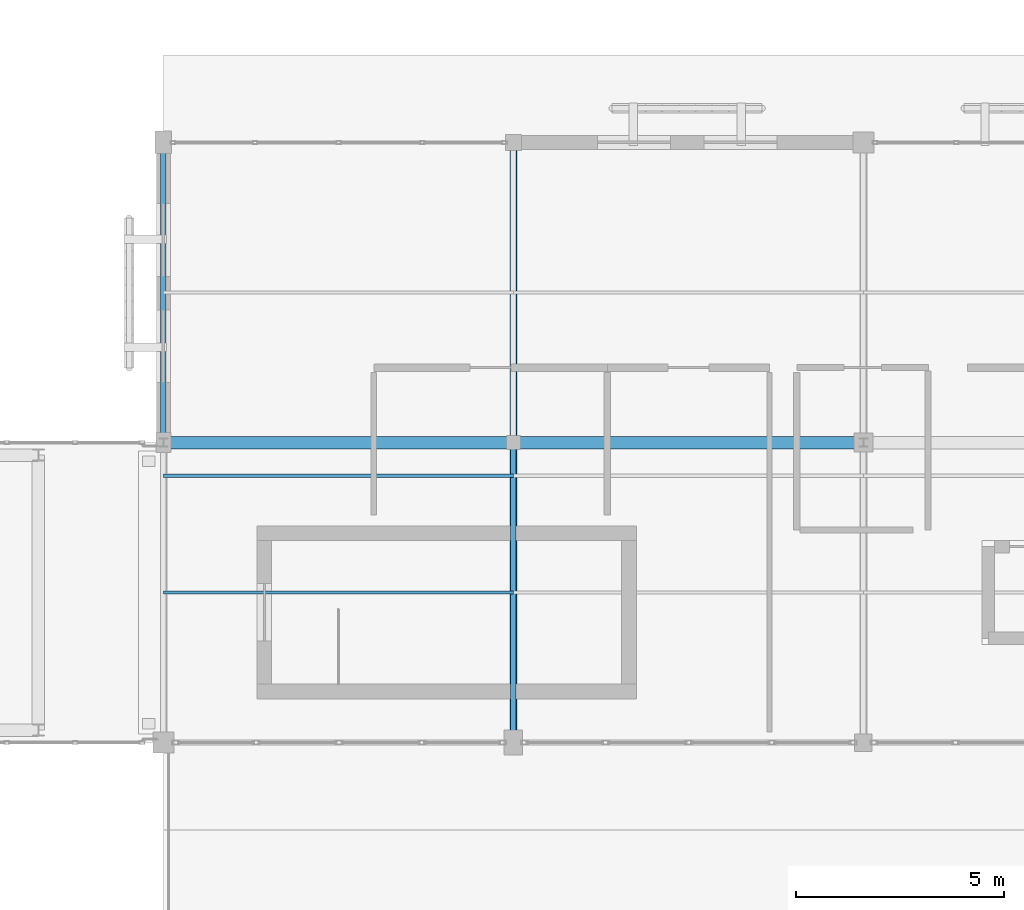
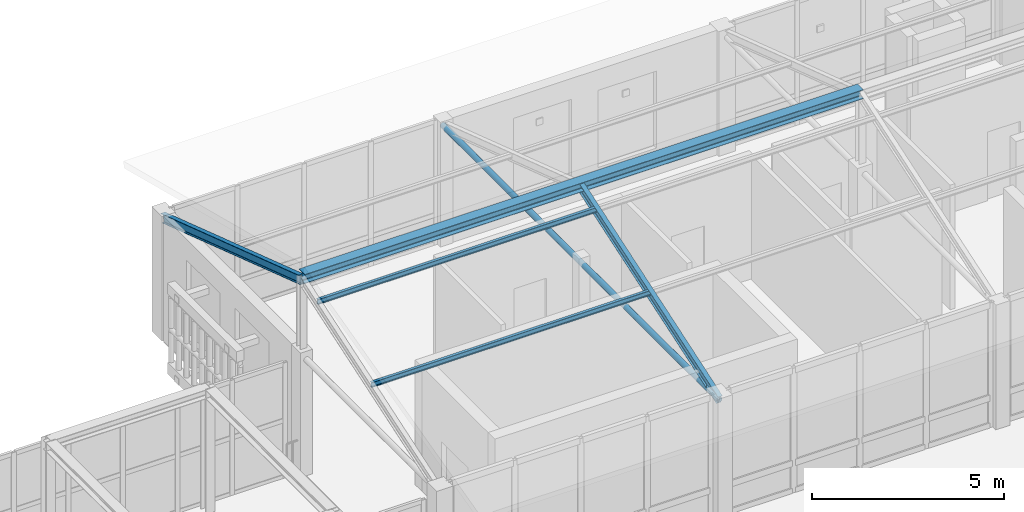
# One storey, part 23 of 112: 5 members, 1 beam.
"""IFC4 building model written with IfcOpenShell, lengths in metres."""

from ifc_helpers import new_model, si_unit, direction, frame, origin, origin_2d, place, context, subcontext, project, spatial, hollow_circle, i_section, extrude, material, material_profile, profile_set, type_object, element, save


model = new_model("IFC4")

# Units and contexts
model_context = context("Model", 3, precision=1e-05, world=origin(), true_north=direction((0.0, 1.0)))
body_context = subcontext(model_context, "Body", "Model", "MODEL_VIEW")
ifc_project = project(units=[si_unit("LENGTHUNIT", "METRE"), si_unit("AREAUNIT", "SQUARE_METRE"), si_unit("VOLUMEUNIT", "CUBIC_METRE"), si_unit("PLANEANGLEUNIT", "RADIAN"), si_unit("MASSUNIT", "GRAM", prefix="KILO")], contexts=[model_context])

# Site, building, storey
site_placement = place(None, origin())
site = spatial("IfcSite", under=ifc_project, at=site_placement, CompositionType="ELEMENT")
building_placement = place(site_placement, origin())
building = spatial("IfcBuilding", under=site, at=building_placement, Name="Mazaris Harbour Polytechnic", CompositionType="ELEMENT")
storey_placement = place(building_placement, frame((0.0, 0.0, 13.800048828125)))
storey = spatial("IfcBuildingStorey", under=building, at=storey_placement, Name="L03", CompositionType="ELEMENT", Elevation=13.800048828125)

# Beam
ifc_material_1 = material(Name="Steel S355", Category="steel")
ifc_material_profile_1 = material_profile(ifc_material_1, i_section(OverallWidth=0.300048828125, OverallDepth=0.2900390625, WebThickness=0.008544921875, FlangeThickness=0.013916015625, FilletRadius=0.027099609375, at=origin_2d()), Name="HEA 300")
ifc_profile_set_1 = profile_set([ifc_material_profile_1], Name="Steel S355")
beam_type = type_object("IfcBeamType", Name="Steel Beam HEA300", PredefinedType="SPANDREL", material=ifc_profile_set_1)
beam_placement = place(storey_placement, frame((54.0, 28.800048828125, 6.195068359375), z_axis=(1.0, 0.0, 0.0), x_axis=(0.0, 1.0, 0.0)))
element("IfcBeam", 1, at=beam_placement, inside=storey, type_object=beam_type, Name="V3 Pavilion Ridge Girder 54.0", PredefinedType="SPANDREL", context=body_context, shape_type="SweptSolid", body=[
    extrude(i_section(OverallWidth=0.300048828125, OverallDepth=0.2900390625, WebThickness=0.008544921875, FlangeThickness=0.013916015625, FilletRadius=0.027099609375, at=origin_2d()), origin(), (0.0, 0.0, 1.0), 16.800048828125),
])

# Members
ifc_material_2 = material(Name="Steel S355", Category="steel")
ifc_material_profile_2 = material_profile(ifc_material_2, i_section(OverallWidth=0.08203125, OverallDepth=0.159912109375, WebThickness=0.0048828125, FlangeThickness=0.00732421875, FilletRadius=0.009033203125, at=origin_2d()), Name="IPE 160")
ifc_profile_set_2 = profile_set([ifc_material_profile_2], Name="Steel S355")
member_type_1 = type_object("IfcMemberType", Name="Steel Purlin IPE160", PredefinedType="PURLIN", material=ifc_profile_set_2)
for number, where, z_axis, x_axis, name in (
    (2, (54.0, 25.199951171875, 4.93994140625), (1.0, 0.0, 0.0), (0.0, 1.0, 0.0), "V3 Roof Purlin 178"),
    (3, (54.0, 28.0, 5.8798828125), (1.0, 0.0, 0.0), (0.0, 1.0, 0.0), "V3 Roof Purlin 179"),
):
    element("IfcMember", number, at=place(storey_placement, frame(where, z_axis=z_axis, x_axis=x_axis)), inside=storey, type_object=member_type_1, Name=name, PredefinedType="PURLIN", context=body_context, shape_type="SweptSolid", body=[
        extrude(i_section(OverallWidth=0.08203125, OverallDepth=0.159912109375, WebThickness=0.0048828125, FlangeThickness=0.00732421875, FilletRadius=0.009033203125, at=origin_2d()), origin(), (0.0, 0.0, 1.0), 8.39990234375),
    ])
ifc_material_3 = material(Name="Steel S355", Category="steel")
ifc_material_profile_3 = material_profile(ifc_material_3, i_section(OverallWidth=0.135009765625, OverallDepth=0.27001953125, WebThickness=0.006591796875, FlangeThickness=0.01025390625, FilletRadius=0.014892578125, at=origin_2d()), Name="IPE 270")
ifc_profile_set_3 = profile_set([ifc_material_profile_3], Name="Steel S355")
member_type_2 = type_object("IfcMemberType", Name="Steel Rafter IPE270", PredefinedType="RAFTER", material=ifc_profile_set_3)
for number, where, z_axis, x_axis, name in (
    (4, (54.0, 28.800048828125, 6.099853515625), (0.0, 0.948686514869, -0.316218115397), (-1.0, 0.0, 0.0), "V3 Pavilion North Rafter 8"),
    (5, (62.39990234375, 21.60009765625, 3.699951171875), (0.0, 0.948686514869, 0.316218115397), (-1.0, 0.0, 0.0), "V3 Pavilion South Rafter 9"),
):
    element("IfcMember", number, at=place(storey_placement, frame(where, z_axis=z_axis, x_axis=x_axis)), inside=storey, type_object=member_type_2, Name=name, PredefinedType="RAFTER", context=body_context, shape_type="SweptSolid", body=[
        extrude(i_section(OverallWidth=0.135009765625, OverallDepth=0.27001953125, WebThickness=0.006591796875, FlangeThickness=0.01025390625, FilletRadius=0.014892578125, at=origin_2d()), origin(), (0.0, 0.0, 1.0), 7.58935546875),
    ])
ifc_material_4 = material(Name="Steel S355", Category="steel")
ifc_material_profile_4 = material_profile(ifc_material_4, hollow_circle(Radius=0.084228515625, WallThickness=0.008056640625, at=origin_2d()), Name="CHS 168.3x8.0")
ifc_profile_set_4 = profile_set([ifc_material_profile_4], Name="Steel S355")
member_type_3 = type_object("IfcMemberType", Name="Steel Truss Strut CHS168", PredefinedType="STRUT", material=ifc_profile_set_4)
member_placement = place(storey_placement, frame((62.39990234375, 21.60009765625, 3.699951171875), z_axis=(0.0, 1.0, 0.0), x_axis=(-1.0, 0.0, 0.0)))
element("IfcMember", 6, at=member_placement, inside=storey, type_object=member_type_3, Name="V3 Pavilion Tie 9", PredefinedType="STRUT", context=body_context, shape_type="SweptSolid", body=[
    extrude(hollow_circle(Radius=0.084228515625, WallThickness=0.008056640625, at=origin_2d()), origin(), (0.0, 0.0, 1.0), 14.39990234375),
])

save(model, "model.ifc")
